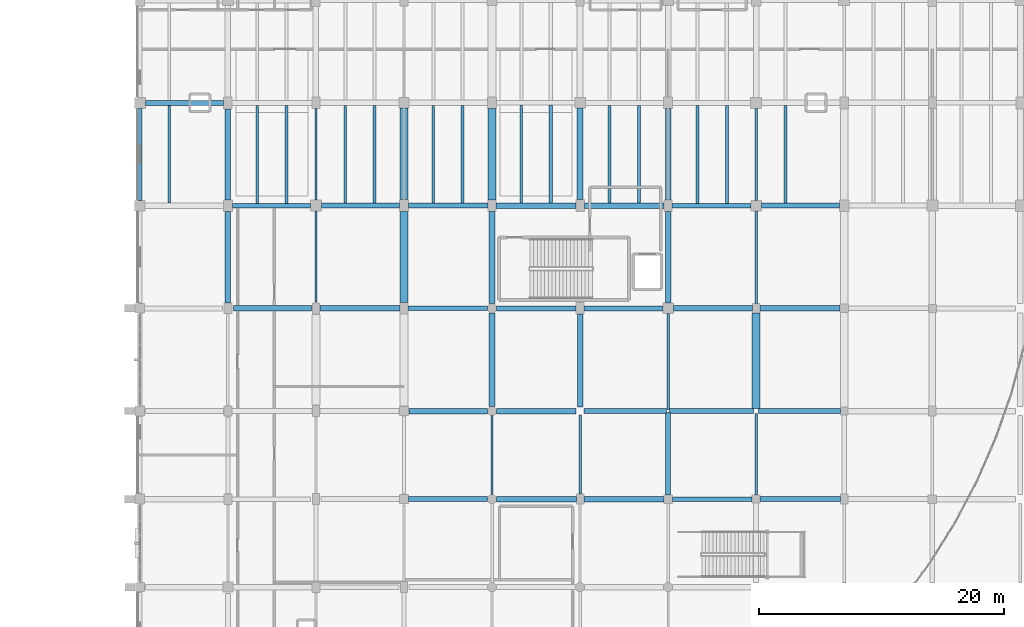
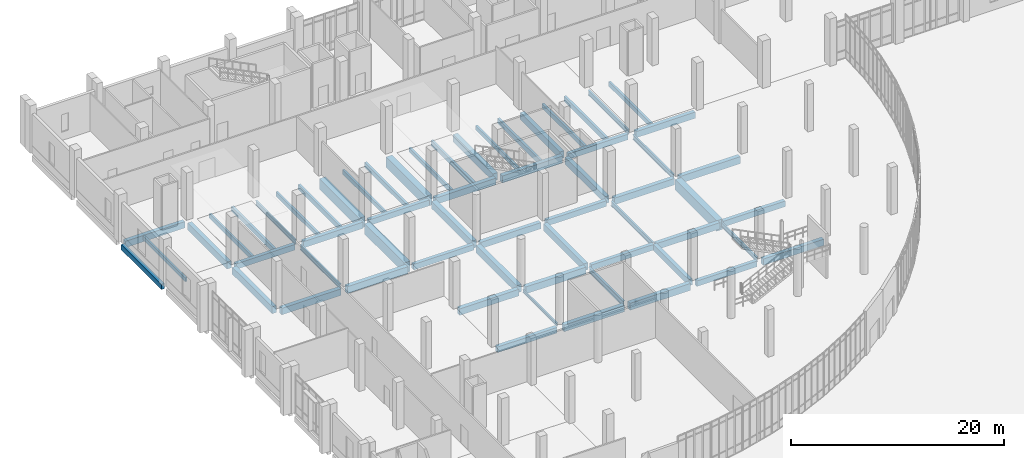
# One storey, part 41 of 110: 61 beams.
"""IFC4 building model written with IfcOpenShell, lengths in metres."""

from ifc_helpers import new_model, si_unit, direction, frame, origin, origin_2d, place, context, subcontext, project, spatial, rectangle, i_section, extrude, material, material_profile, profile_set, type_object, element, save


model = new_model("IFC4")

# Units and contexts
model_context = context("Model", 3, precision=1e-05, world=origin(), true_north=direction((0.0, 1.0)))
body_context = subcontext(model_context, "Body", "Model", "MODEL_VIEW")
ifc_project = project(units=[si_unit("LENGTHUNIT", "METRE"), si_unit("AREAUNIT", "SQUARE_METRE"), si_unit("VOLUMEUNIT", "CUBIC_METRE"), si_unit("PLANEANGLEUNIT", "RADIAN"), si_unit("MASSUNIT", "GRAM", prefix="KILO")], contexts=[model_context])

# Site, building, storey
site_placement = place(None, origin())
site = spatial("IfcSite", under=ifc_project, at=site_placement, CompositionType="ELEMENT")
building_placement = place(site_placement, origin())
building = spatial("IfcBuilding", under=site, at=building_placement, Name="Kalluvel Institute of Natural Sciences", CompositionType="ELEMENT")
storey_placement = place(building_placement, origin())
storey = spatial("IfcBuildingStorey", under=building, at=storey_placement, Name="L00", CompositionType="ELEMENT", Elevation=0.0)

# Beams
ifc_material_1 = material(Name="Steel E350 Grade 350", Category="steel")
ifc_material_profile_1 = material_profile(ifc_material_1, i_section(OverallWidth=0.139892578125, OverallDepth=0.35009765625, WebThickness=0.008056640625, FlangeThickness=0.01416015625, FilletRadius=0.013916015625, at=origin_2d()), Name="ISMB 350")
ifc_profile_set_1 = profile_set([ifc_material_profile_1], Name="Steel E350 Grade 350")
beam_type_1 = type_object("IfcBeamType", Name="BM-ISMB350", PredefinedType="BEAM", material=ifc_profile_set_1)
beam_1_placement = place(storey_placement, frame((42.800048828125, 79.175048828125, -0.4951171875), z_axis=(0.0, 1.0, 0.0), x_axis=(-1.0, 0.0, 0.0)))
element("IfcBeam", 1, at=beam_1_placement, inside=storey, type_object=beam_type_1, Name="L00 girder GIR-L00-NS-X428-Y788", PredefinedType="BEAM", context=body_context, shape_type="SweptSolid", body=[
    extrude(i_section(OverallWidth=0.139892578125, OverallDepth=0.35009765625, WebThickness=0.008056640625, FlangeThickness=0.01416015625, FilletRadius=0.013916015625, at=origin_2d()), origin(), (0.0, 0.0, 1.0), 6.449951171875),
])
ifc_material_profile_2 = material_profile(ifc_material_1, i_section(OverallWidth=0.179931640625, OverallDepth=0.5, WebThickness=0.01025390625, FlangeThickness=0.01708984375, FilletRadius=0.01708984375, at=origin_2d()), Name="ISMB 500")
ifc_profile_set_2 = profile_set([ifc_material_profile_2], Name="Steel E350 Grade 350")
beam_type_2 = type_object("IfcBeamType", Name="BM-ISMB500", PredefinedType="BEAM", material=ifc_profile_set_2)
beam_2_placement = place(storey_placement, frame((64.39990234375, 79.125, -0.570068359375), z_axis=(0.0, 1.0, 0.0), x_axis=(-1.0, 0.0, 0.0)))
element("IfcBeam", 2, at=beam_2_placement, inside=storey, type_object=beam_type_2, Name="L00 girder GIR-L00-NS-X644-Y788", PredefinedType="BEAM", context=body_context, shape_type="SweptSolid", body=[
    extrude(i_section(OverallWidth=0.179931640625, OverallDepth=0.5, WebThickness=0.01025390625, FlangeThickness=0.01708984375, FilletRadius=0.01708984375, at=origin_2d()), origin(), (0.0, 0.0, 1.0), 6.675048828125),
])
ifc_material_profile_3 = material_profile(ifc_material_1, i_section(OverallWidth=0.18994140625, OverallDepth=0.550048828125, WebThickness=0.01123046875, FlangeThickness=0.019287109375, FilletRadius=0.01806640625, at=origin_2d()), Name="ISMB 550")
ifc_profile_set_3 = profile_set([ifc_material_profile_3], Name="Steel E350 Grade 350")
beam_type_3 = type_object("IfcBeamType", Name="BM-ISMB550", PredefinedType="BEAM", material=ifc_profile_set_3)
beam_3_placement = place(storey_placement, frame((28.39990234375, 94.89990234375, -0.594970703125), z_axis=(0.0, 1.0, 0.0), x_axis=(-1.0, 0.0, 0.0)))
element("IfcBeam", 3, at=beam_3_placement, inside=storey, type_object=beam_type_3, Name="L00 girder GIR-L00-NS-X284-Y944", PredefinedType="BEAM", context=body_context, shape_type="SweptSolid", body=[
    extrude(i_section(OverallWidth=0.18994140625, OverallDepth=0.550048828125, WebThickness=0.01123046875, FlangeThickness=0.019287109375, FilletRadius=0.01806640625, at=origin_2d()), origin(), (0.0, 0.0, 1.0), 7.4501953125),
])
beam_4_placement = place(storey_placement, frame((28.39990234375, 103.25, -0.594970703125), z_axis=(0.0, 1.0, 0.0), x_axis=(-1.0, 0.0, 0.0)))
element("IfcBeam", 4, at=beam_4_placement, inside=storey, type_object=beam_type_3, Name="L00 girder GIR-L00-NS-X284-Y1028", PredefinedType="BEAM", context=body_context, shape_type="SweptSolid", body=[
    extrude(i_section(OverallWidth=0.18994140625, OverallDepth=0.550048828125, WebThickness=0.01123046875, FlangeThickness=0.019287109375, FilletRadius=0.01806640625, at=origin_2d()), origin(), (0.0, 0.0, 1.0), 7.47509765625),
])
beam_5_placement = place(storey_placement, frame((57.199951171875, 86.125, -0.594970703125), z_axis=(0.0, 1.0, 0.0), x_axis=(-1.0, 0.0, 0.0)))
element("IfcBeam", 5, at=beam_5_placement, inside=storey, type_object=beam_type_3, Name="L00 girder GIR-L00-NS-X572-Y860", PredefinedType="BEAM", context=body_context, shape_type="SweptSolid", body=[
    extrude(i_section(OverallWidth=0.18994140625, OverallDepth=0.550048828125, WebThickness=0.01123046875, FlangeThickness=0.019287109375, FilletRadius=0.01806640625, at=origin_2d()), origin(), (0.0, 0.0, 1.0), 7.85009765625),
])
beam_6_placement = place(storey_placement, frame((64.39990234375, 94.800048828125, -0.594970703125), z_axis=(0.0, 1.0, 0.0), x_axis=(-1.0, 0.0, 0.0)))
element("IfcBeam", 6, at=beam_6_placement, inside=storey, type_object=beam_type_3, Name="L00 girder GIR-L00-NS-X644-Y944", PredefinedType="BEAM", context=body_context, shape_type="SweptSolid", body=[
    extrude(i_section(OverallWidth=0.18994140625, OverallDepth=0.550048828125, WebThickness=0.01123046875, FlangeThickness=0.019287109375, FilletRadius=0.01806640625, at=origin_2d()), origin(), (0.0, 0.0, 1.0), 7.574951171875),
])
beam_7_placement = place(storey_placement, frame((64.39990234375, 103.22509765625, -0.594970703125), z_axis=(0.0, 1.0, 0.0), x_axis=(-1.0, 0.0, 0.0)))
element("IfcBeam", 7, at=beam_7_placement, inside=storey, type_object=beam_type_3, Name="L00 girder GIR-L00-NS-X644-Y1028", PredefinedType="BEAM", context=body_context, shape_type="SweptSolid", body=[
    extrude(i_section(OverallWidth=0.18994140625, OverallDepth=0.550048828125, WebThickness=0.01123046875, FlangeThickness=0.019287109375, FilletRadius=0.01806640625, at=origin_2d()), origin(), (0.0, 0.0, 1.0), 7.52490234375),
])
ifc_material_profile_4 = material_profile(ifc_material_1, i_section(OverallWidth=0.2099609375, OverallDepth=0.60009765625, WebThickness=0.011962890625, FlangeThickness=0.020751953125, FilletRadius=0.02001953125, at=origin_2d()), Name="ISMB 600")
ifc_profile_set_4 = profile_set([ifc_material_profile_4], Name="Steel E350 Grade 350")
beam_type_4 = type_object("IfcBeamType", Name="BM-ISMB600", PredefinedType="BEAM", material=ifc_profile_set_4)
beam_8_placement = place(storey_placement, frame((50.0, 79.199951171875, -0.6201171875), z_axis=(0.0, 1.0, 0.0), x_axis=(-1.0, 0.0, 0.0)))
element("IfcBeam", 8, at=beam_8_placement, inside=storey, type_object=beam_type_4, Name="L00 girder GIR-L00-NS-X500-Y788", PredefinedType="BEAM", context=body_context, shape_type="SweptSolid", body=[
    extrude(i_section(OverallWidth=0.2099609375, OverallDepth=0.60009765625, WebThickness=0.011962890625, FlangeThickness=0.020751953125, FilletRadius=0.02001953125, at=origin_2d()), origin(), (0.0, 0.0, 1.0), 6.47509765625),
])
ifc_material_2 = material(Name="Concrete M40", Category="concrete")
ifc_material_profile_5 = material_profile(ifc_material_2, rectangle(XDim=0.3798828125, YDim=0.639892578125, at=origin_2d()), Name="RCB 380x640")
ifc_profile_set_5 = profile_set([ifc_material_profile_5], Name="Concrete M40")
beam_type_5 = type_object("IfcBeamType", Name="BM-RC380x640", PredefinedType="BEAM", material=ifc_profile_set_5)
beam_9_placement = place(storey_placement, frame((57.550048828125, 78.800048828125, -0.639892578125), z_axis=(1.0, 0.0, 0.0), x_axis=(0.0, 1.0, 0.0)))
element("IfcBeam", 9, at=beam_9_placement, inside=storey, type_object=beam_type_5, Name="L00 girder GIR-L00-EW-X572-Y788", PredefinedType="BEAM", context=body_context, shape_type="SweptSolid", body=[
    extrude(rectangle(XDim=0.3798828125, YDim=0.639892578125, at=origin_2d()), origin(), (0.0, 0.0, 1.0), 6.52490234375),
])
beam_10_placement = place(storey_placement, frame((50.324951171875, 86.0, -0.639892578125), z_axis=(1.0, 0.0, 0.0), x_axis=(0.0, 1.0, 0.0)))
element("IfcBeam", 10, at=beam_10_placement, inside=storey, type_object=beam_type_5, Name="L00 girder GIR-L00-EW-X500-Y860", PredefinedType="BEAM", context=body_context, shape_type="SweptSolid", body=[
    extrude(rectangle(XDim=0.3798828125, YDim=0.639892578125, at=origin_2d()), origin(), (0.0, 0.0, 1.0), 6.75),
])
beam_11_placement = place(storey_placement, frame((35.925048828125, 94.39990234375, -0.639892578125), z_axis=(1.0, 0.0, 0.0), x_axis=(0.0, 1.0, 0.0)))
element("IfcBeam", 11, at=beam_11_placement, inside=storey, type_object=beam_type_5, Name="L00 girder GIR-L00-EW-X356-Y944", PredefinedType="BEAM", context=body_context, shape_type="SweptSolid", body=[
    extrude(rectangle(XDim=0.3798828125, YDim=0.639892578125, at=origin_2d()), origin(), (0.0, 0.0, 1.0), 6.5),
])
beam_12_placement = place(storey_placement, frame((21.574951171875, 102.800048828125, -0.639892578125), z_axis=(1.0, 0.0, 0.0), x_axis=(0.0, 1.0, 0.0)))
element("IfcBeam", 12, at=beam_12_placement, inside=storey, type_object=beam_type_5, Name="L00 girder GIR-L00-EW-X212-Y1028", PredefinedType="BEAM", context=body_context, shape_type="SweptSolid", body=[
    extrude(rectangle(XDim=0.3798828125, YDim=0.639892578125, at=origin_2d()), origin(), (0.0, 0.0, 1.0), 6.375),
])
beam_13_placement = place(storey_placement, frame((57.52490234375, 102.800048828125, -0.639892578125), z_axis=(1.0, 0.0, 0.0), x_axis=(0.0, 1.0, 0.0)))
element("IfcBeam", 13, at=beam_13_placement, inside=storey, type_object=beam_type_5, Name="L00 girder GIR-L00-EW-X572-Y1028", PredefinedType="BEAM", context=body_context, shape_type="SweptSolid", body=[
    extrude(rectangle(XDim=0.3798828125, YDim=0.639892578125, at=origin_2d()), origin(), (0.0, 0.0, 1.0), 6.4501953125),
])
ifc_material_profile_6 = material_profile(ifc_material_2, rectangle(XDim=0.39990234375, YDim=0.64990234375, at=origin_2d()), Name="RCB 400x650")
ifc_profile_set_6 = profile_set([ifc_material_profile_6], Name="Concrete M40")
beam_type_6 = type_object("IfcBeamType", Name="BM-RC400x650", PredefinedType="BEAM", material=ifc_profile_set_6)
beam_14_placement = place(storey_placement, frame((35.97509765625, 78.800048828125, -0.64501953125), z_axis=(1.0, 0.0, 0.0), x_axis=(0.0, 1.0, 0.0)))
element("IfcBeam", 14, at=beam_14_placement, inside=storey, type_object=beam_type_6, Name="L00 girder GIR-L00-EW-X356-Y788", PredefinedType="BEAM", context=body_context, shape_type="SweptSolid", body=[
    extrude(rectangle(XDim=0.39990234375, YDim=0.64990234375, at=origin_2d()), origin(), (0.0, 0.0, 1.0), 6.449951171875),
])
beam_15_placement = place(storey_placement, frame((64.60009765625, 86.0, -0.64501953125), z_axis=(1.0, 0.0, 0.0), x_axis=(0.0, 1.0, 0.0)))
element("IfcBeam", 15, at=beam_15_placement, inside=storey, type_object=beam_type_6, Name="L00 girder GIR-L00-EW-X644-Y860", PredefinedType="BEAM", context=body_context, shape_type="SweptSolid", body=[
    extrude(rectangle(XDim=0.39990234375, YDim=0.64990234375, at=origin_2d()), origin(), (0.0, 0.0, 1.0), 6.6748046875),
])
beam_16_placement = place(storey_placement, frame((50.324951171875, 94.39990234375, -0.64501953125), z_axis=(1.0, 0.0, 0.0), x_axis=(0.0, 1.0, 0.0)))
element("IfcBeam", 16, at=beam_16_placement, inside=storey, type_object=beam_type_6, Name="L00 girder GIR-L00-EW-X500-Y944", PredefinedType="BEAM", context=body_context, shape_type="SweptSolid", body=[
    extrude(rectangle(XDim=0.39990234375, YDim=0.64990234375, at=origin_2d()), origin(), (0.0, 0.0, 1.0), 6.449951171875),
])
beam_17_placement = place(storey_placement, frame((35.949951171875, 102.800048828125, -0.64501953125), z_axis=(1.0, 0.0, 0.0), x_axis=(0.0, 1.0, 0.0)))
element("IfcBeam", 17, at=beam_17_placement, inside=storey, type_object=beam_type_6, Name="L00 girder GIR-L00-EW-X356-Y1028", PredefinedType="BEAM", context=body_context, shape_type="SweptSolid", body=[
    extrude(rectangle(XDim=0.39990234375, YDim=0.64990234375, at=origin_2d()), origin(), (0.0, 0.0, 1.0), 6.525146484375),
])
ifc_material_profile_7 = material_profile(ifc_material_2, rectangle(XDim=0.39990234375, YDim=0.699951171875, at=origin_2d()), Name="RCB 400x700")
ifc_profile_set_7 = profile_set([ifc_material_profile_7], Name="Concrete M40")
beam_type_7 = type_object("IfcBeamType", Name="BM-RC400x700", PredefinedType="BEAM", material=ifc_profile_set_7)
beam_18_placement = place(storey_placement, frame((57.199951171875, 79.14990234375, -0.669921875), z_axis=(0.0, 1.0, 0.0), x_axis=(-1.0, 0.0, 0.0)))
element("IfcBeam", 18, at=beam_18_placement, inside=storey, type_object=beam_type_7, Name="L00 girder GIR-L00-NS-X572-Y788", PredefinedType="BEAM", context=body_context, shape_type="SweptSolid", body=[
    extrude(rectangle(XDim=0.39990234375, YDim=0.699951171875, at=origin_2d()), origin(), (0.0, 0.0, 1.0), 6.72509765625),
])
ifc_material_profile_8 = material_profile(ifc_material_2, rectangle(XDim=0.419921875, YDim=0.719970703125, at=origin_2d()), Name="RCB 420x720")
ifc_profile_set_8 = profile_set([ifc_material_profile_8], Name="Concrete M40")
beam_type_8 = type_object("IfcBeamType", Name="BM-RC420x720", PredefinedType="BEAM", material=ifc_profile_set_8)
beam_19_placement = place(storey_placement, frame((64.72509765625, 78.800048828125, -0.679931640625), z_axis=(1.0, 0.0, 0.0), x_axis=(0.0, 1.0, 0.0)))
element("IfcBeam", 19, at=beam_19_placement, inside=storey, type_object=beam_type_8, Name="L00 girder GIR-L00-EW-X644-Y788", PredefinedType="BEAM", context=body_context, shape_type="SweptSolid", body=[
    extrude(rectangle(XDim=0.419921875, YDim=0.719970703125, at=origin_2d()), origin(), (0.0, 0.0, 1.0), 6.574951171875),
])
beam_20_placement = place(storey_placement, frame((57.324951171875, 86.0, -0.679931640625), z_axis=(1.0, 0.0, 0.0), x_axis=(0.0, 1.0, 0.0)))
element("IfcBeam", 20, at=beam_20_placement, inside=storey, type_object=beam_type_8, Name="L00 girder GIR-L00-EW-X572-Y860", PredefinedType="BEAM", context=body_context, shape_type="SweptSolid", body=[
    extrude(rectangle(XDim=0.419921875, YDim=0.719970703125, at=origin_2d()), origin(), (0.0, 0.0, 1.0), 6.875),
])
beam_21_placement = place(storey_placement, frame((43.175048828125, 94.39990234375, -0.679931640625), z_axis=(1.0, 0.0, 0.0), x_axis=(0.0, 1.0, 0.0)))
element("IfcBeam", 21, at=beam_21_placement, inside=storey, type_object=beam_type_8, Name="L00 girder GIR-L00-EW-X428-Y944", PredefinedType="BEAM", context=body_context, shape_type="SweptSolid", body=[
    extrude(rectangle(XDim=0.419921875, YDim=0.719970703125, at=origin_2d()), origin(), (0.0, 0.0, 1.0), 6.5),
])
beam_22_placement = place(storey_placement, frame((28.85009765625, 102.800048828125, -0.679931640625), z_axis=(1.0, 0.0, 0.0), x_axis=(0.0, 1.0, 0.0)))
element("IfcBeam", 22, at=beam_22_placement, inside=storey, type_object=beam_type_8, Name="L00 girder GIR-L00-EW-X284-Y1028", PredefinedType="BEAM", context=body_context, shape_type="SweptSolid", body=[
    extrude(rectangle(XDim=0.419921875, YDim=0.719970703125, at=origin_2d()), origin(), (0.0, 0.0, 1.0), 6.39990234375),
])
for number, where, z_axis, x_axis, name in (
    (23, (64.824951171875, 102.800048828125, -0.679931640625), (1.0, 0.0, 0.0), (0.0, 1.0, 0.0), "L00 girder GIR-L00-EW-X644-Y1028"),
    (24, (14.449951171875, 111.199951171875, -0.679931640625), (1.0, 0.0, 0.0), (0.0, 1.0, 0.0), "L00 girder GIR-L00-EW-X140-Y1112"),
):
    element("IfcBeam", number, at=place(storey_placement, frame(where, z_axis=z_axis, x_axis=x_axis)), inside=storey, type_object=beam_type_8, Name=name, PredefinedType="BEAM", context=body_context, shape_type="SweptSolid", body=[
        extrude(rectangle(XDim=0.419921875, YDim=0.719970703125, at=origin_2d()), origin(), (0.0, 0.0, 1.0), 6.400146484375),
    ])
ifc_material_profile_9 = material_profile(ifc_material_2, rectangle(XDim=0.449951171875, YDim=0.75, at=origin_2d()), Name="RCB 450x750")
ifc_profile_set_9 = profile_set([ifc_material_profile_9], Name="Concrete M40")
beam_type_9 = type_object("IfcBeamType", Name="BM-RC450x750", PredefinedType="BEAM", material=ifc_profile_set_9)
beam_23_placement = place(storey_placement, frame((43.175048828125, 78.800048828125, -0.695068359375), z_axis=(1.0, 0.0, 0.0), x_axis=(0.0, 1.0, 0.0)))
element("IfcBeam", 25, at=beam_23_placement, inside=storey, type_object=beam_type_9, Name="L00 girder GIR-L00-EW-X428-Y788", PredefinedType="BEAM", context=body_context, shape_type="SweptSolid", body=[
    extrude(rectangle(XDim=0.449951171875, YDim=0.75, at=origin_2d()), origin(), (0.0, 0.0, 1.0), 6.52490234375),
])
for number, where, z_axis, x_axis, name in (
    (26, (36.02490234375, 86.0, -0.695068359375), (1.0, 0.0, 0.0), (0.0, 1.0, 0.0), "L00 girder GIR-L00-EW-X356-Y860"),
    (27, (21.64990234375, 94.39990234375, -0.695068359375), (1.0, 0.0, 0.0), (0.0, 1.0, 0.0), "L00 girder GIR-L00-EW-X212-Y944"),
):
    element("IfcBeam", number, at=place(storey_placement, frame(where, z_axis=z_axis, x_axis=x_axis)), inside=storey, type_object=beam_type_9, Name=name, PredefinedType="BEAM", context=body_context, shape_type="SweptSolid", body=[
        extrude(rectangle(XDim=0.449951171875, YDim=0.75, at=origin_2d()), origin(), (0.0, 0.0, 1.0), 6.400146484375),
    ])
beam_24_placement = place(storey_placement, frame((57.625, 94.39990234375, -0.695068359375), z_axis=(1.0, 0.0, 0.0), x_axis=(0.0, 1.0, 0.0)))
element("IfcBeam", 28, at=beam_24_placement, inside=storey, type_object=beam_type_9, Name="L00 girder GIR-L00-EW-X572-Y944", PredefinedType="BEAM", context=body_context, shape_type="SweptSolid", body=[
    extrude(rectangle(XDim=0.449951171875, YDim=0.75, at=origin_2d()), origin(), (0.0, 0.0, 1.0), 6.47509765625),
])
beam_25_placement = place(storey_placement, frame((43.125, 102.800048828125, -0.695068359375), z_axis=(1.0, 0.0, 0.0), x_axis=(0.0, 1.0, 0.0)))
element("IfcBeam", 29, at=beam_25_placement, inside=storey, type_object=beam_type_9, Name="L00 girder GIR-L00-EW-X428-Y1028", PredefinedType="BEAM", context=body_context, shape_type="SweptSolid", body=[
    extrude(rectangle(XDim=0.449951171875, YDim=0.75, at=origin_2d()), origin(), (0.0, 0.0, 1.0), 6.52490234375),
])
ifc_material_profile_10 = material_profile(ifc_material_2, rectangle(XDim=0.449951171875, YDim=0.800048828125, at=origin_2d()), Name="RCB 450x800")
ifc_profile_set_10 = profile_set([ifc_material_profile_10], Name="Concrete M40")
beam_type_10 = type_object("IfcBeamType", Name="BM-RC450x800", PredefinedType="BEAM", material=ifc_profile_set_10)
beam_26_placement = place(storey_placement, frame((50.300048828125, 78.800048828125, -0.719970703125), z_axis=(1.0, 0.0, 0.0), x_axis=(0.0, 1.0, 0.0)))
element("IfcBeam", 30, at=beam_26_placement, inside=storey, type_object=beam_type_10, Name="L00 girder GIR-L00-EW-X500-Y788", PredefinedType="BEAM", context=body_context, shape_type="SweptSolid", body=[
    extrude(rectangle(XDim=0.449951171875, YDim=0.800048828125, at=origin_2d()), origin(), (0.0, 0.0, 1.0), 6.550048828125),
])
beam_27_placement = place(storey_placement, frame((43.175048828125, 86.0, -0.719970703125), z_axis=(1.0, 0.0, 0.0), x_axis=(0.0, 1.0, 0.0)))
element("IfcBeam", 31, at=beam_27_placement, inside=storey, type_object=beam_type_10, Name="L00 girder GIR-L00-EW-X428-Y860", PredefinedType="BEAM", context=body_context, shape_type="SweptSolid", body=[
    extrude(rectangle(XDim=0.449951171875, YDim=0.800048828125, at=origin_2d()), origin(), (0.0, 0.0, 1.0), 6.5),
])
beam_28_placement = place(storey_placement, frame((28.75, 94.39990234375, -0.719970703125), z_axis=(1.0, 0.0, 0.0), x_axis=(0.0, 1.0, 0.0)))
element("IfcBeam", 32, at=beam_28_placement, inside=storey, type_object=beam_type_10, Name="L00 girder GIR-L00-EW-X284-Y944", PredefinedType="BEAM", context=body_context, shape_type="SweptSolid", body=[
    extrude(rectangle(XDim=0.449951171875, YDim=0.800048828125, at=origin_2d()), origin(), (0.0, 0.0, 1.0), 6.52490234375),
])
beam_29_placement = place(storey_placement, frame((64.699951171875, 94.39990234375, -0.719970703125), z_axis=(1.0, 0.0, 0.0), x_axis=(0.0, 1.0, 0.0)))
element("IfcBeam", 33, at=beam_29_placement, inside=storey, type_object=beam_type_10, Name="L00 girder GIR-L00-EW-X644-Y944", PredefinedType="BEAM", context=body_context, shape_type="SweptSolid", body=[
    extrude(rectangle(XDim=0.449951171875, YDim=0.800048828125, at=origin_2d()), origin(), (0.0, 0.0, 1.0), 6.550048828125),
])
beam_30_placement = place(storey_placement, frame((50.35009765625, 102.800048828125, -0.719970703125), z_axis=(1.0, 0.0, 0.0), x_axis=(0.0, 1.0, 0.0)))
element("IfcBeam", 34, at=beam_30_placement, inside=storey, type_object=beam_type_10, Name="L00 girder GIR-L00-EW-X500-Y1028", PredefinedType="BEAM", context=body_context, shape_type="SweptSolid", body=[
    extrude(rectangle(XDim=0.449951171875, YDim=0.800048828125, at=origin_2d()), origin(), (0.0, 0.0, 1.0), 6.52490234375),
])
beam_31_placement = place(storey_placement, frame((21.199951171875, 94.85009765625, -0.719970703125), z_axis=(0.0, 1.0, 0.0), x_axis=(-1.0, 0.0, 0.0)))
element("IfcBeam", 35, at=beam_31_placement, inside=storey, type_object=beam_type_10, Name="L00 girder GIR-L00-NS-X212-Y944", PredefinedType="BEAM", context=body_context, shape_type="SweptSolid", body=[
    extrude(rectangle(XDim=0.449951171875, YDim=0.800048828125, at=origin_2d()), origin(), (0.0, 0.0, 1.0), 7.474853515625),
])
beam_32_placement = place(storey_placement, frame((21.199951171875, 103.27490234375, -0.719970703125), z_axis=(0.0, 1.0, 0.0), x_axis=(-1.0, 0.0, 0.0)))
element("IfcBeam", 36, at=beam_32_placement, inside=storey, type_object=beam_type_10, Name="L00 girder GIR-L00-NS-X212-Y1028", PredefinedType="BEAM", context=body_context, shape_type="SweptSolid", body=[
    extrude(rectangle(XDim=0.449951171875, YDim=0.800048828125, at=origin_2d()), origin(), (0.0, 0.0, 1.0), 7.425048828125),
])
beam_33_placement = place(storey_placement, frame((50.0, 86.324951171875, -0.719970703125), z_axis=(0.0, 1.0, 0.0), x_axis=(-1.0, 0.0, 0.0)))
element("IfcBeam", 37, at=beam_33_placement, inside=storey, type_object=beam_type_10, Name="L00 girder GIR-L00-NS-X500-Y860", PredefinedType="BEAM", context=body_context, shape_type="SweptSolid", body=[
    extrude(rectangle(XDim=0.449951171875, YDim=0.800048828125, at=origin_2d()), origin(), (0.0, 0.0, 1.0), 7.60009765625),
])
beam_34_placement = place(storey_placement, frame((57.199951171875, 94.824951171875, -0.719970703125), z_axis=(0.0, 1.0, 0.0), x_axis=(-1.0, 0.0, 0.0)))
element("IfcBeam", 38, at=beam_34_placement, inside=storey, type_object=beam_type_10, Name="L00 girder GIR-L00-NS-X572-Y944", PredefinedType="BEAM", context=body_context, shape_type="SweptSolid", body=[
    extrude(rectangle(XDim=0.449951171875, YDim=0.800048828125, at=origin_2d()), origin(), (0.0, 0.0, 1.0), 7.5),
])
beam_35_placement = place(storey_placement, frame((57.199951171875, 103.27490234375, -0.719970703125), z_axis=(0.0, 1.0, 0.0), x_axis=(-1.0, 0.0, 0.0)))
element("IfcBeam", 39, at=beam_35_placement, inside=storey, type_object=beam_type_10, Name="L00 girder GIR-L00-NS-X572-Y1028", PredefinedType="BEAM", context=body_context, shape_type="SweptSolid", body=[
    extrude(rectangle(XDim=0.449951171875, YDim=0.800048828125, at=origin_2d()), origin(), (0.0, 0.0, 1.0), 7.4501953125),
])
ifc_material_3 = material(Name="Concrete M50", Category="concrete")
ifc_material_profile_11 = material_profile(ifc_material_3, rectangle(XDim=0.5, YDim=0.85009765625, at=origin_2d()), Name="RCB 500x850")
ifc_profile_set_11 = profile_set([ifc_material_profile_11], Name="Concrete M50")
beam_type_11 = type_object("IfcBeamType", Name="BM-RC500x850", PredefinedType="BEAM", material=ifc_profile_set_11)
beam_36_placement = place(storey_placement, frame((42.800048828125, 86.375, -0.7451171875), z_axis=(0.0, 1.0, 0.0), x_axis=(-1.0, 0.0, 0.0)))
element("IfcBeam", 40, at=beam_36_placement, inside=storey, type_object=beam_type_11, Name="L00 girder GIR-L00-NS-X428-Y860", PredefinedType="BEAM", context=body_context, shape_type="SweptSolid", body=[
    extrude(rectangle(XDim=0.5, YDim=0.85009765625, at=origin_2d()), origin(), (0.0, 0.0, 1.0), 7.64990234375),
])
beam_37_placement = place(storey_placement, frame((42.800048828125, 94.77490234375, -0.7451171875), z_axis=(0.0, 1.0, 0.0), x_axis=(-1.0, 0.0, 0.0)))
element("IfcBeam", 41, at=beam_37_placement, inside=storey, type_object=beam_type_11, Name="L00 girder GIR-L00-NS-X428-Y944", PredefinedType="BEAM", context=body_context, shape_type="SweptSolid", body=[
    extrude(rectangle(XDim=0.5, YDim=0.85009765625, at=origin_2d()), origin(), (0.0, 0.0, 1.0), 7.550048828125),
])
beam_38_placement = place(storey_placement, frame((50.0, 103.300048828125, -0.7451171875), z_axis=(0.0, 1.0, 0.0), x_axis=(-1.0, 0.0, 0.0)))
element("IfcBeam", 42, at=beam_38_placement, inside=storey, type_object=beam_type_11, Name="L00 girder GIR-L00-NS-X500-Y1028", PredefinedType="BEAM", context=body_context, shape_type="SweptSolid", body=[
    extrude(rectangle(XDim=0.5, YDim=0.85009765625, at=origin_2d()), origin(), (0.0, 0.0, 1.0), 7.474853515625),
])
ifc_material_profile_12 = material_profile(ifc_material_3, rectangle(XDim=0.64990234375, YDim=1.199951171875, at=origin_2d()), Name="RCB 650x1200")
ifc_profile_set_12 = profile_set([ifc_material_profile_12], Name="Concrete M50")
beam_type_12 = type_object("IfcBeamType", Name="BM-RC650x1200", PredefinedType="BEAM", material=ifc_profile_set_12)
beam_39_placement = place(storey_placement, frame((35.60009765625, 94.875, -0.919921875), z_axis=(0.0, 1.0, 0.0), x_axis=(-1.0, 0.0, 0.0)))
element("IfcBeam", 43, at=beam_39_placement, inside=storey, type_object=beam_type_12, Name="L00 girder GIR-L00-NS-X356-Y944", PredefinedType="BEAM", context=body_context, shape_type="SweptSolid", body=[
    extrude(rectangle(XDim=0.64990234375, YDim=1.199951171875, at=origin_2d()), origin(), (0.0, 0.0, 1.0), 7.425048828125),
])
beam_40_placement = place(storey_placement, frame((35.60009765625, 103.300048828125, -0.919921875), z_axis=(0.0, 1.0, 0.0), x_axis=(-1.0, 0.0, 0.0)))
element("IfcBeam", 44, at=beam_40_placement, inside=storey, type_object=beam_type_12, Name="L00 girder GIR-L00-NS-X356-Y1028", PredefinedType="BEAM", context=body_context, shape_type="SweptSolid", body=[
    extrude(rectangle(XDim=0.64990234375, YDim=1.199951171875, at=origin_2d()), origin(), (0.0, 0.0, 1.0), 7.474853515625),
])
beam_41_placement = place(storey_placement, frame((42.800048828125, 103.27490234375, -0.919921875), z_axis=(0.0, 1.0, 0.0), x_axis=(-1.0, 0.0, 0.0)))
element("IfcBeam", 45, at=beam_41_placement, inside=storey, type_object=beam_type_12, Name="L00 girder GIR-L00-NS-X428-Y1028", PredefinedType="BEAM", context=body_context, shape_type="SweptSolid", body=[
    extrude(rectangle(XDim=0.64990234375, YDim=1.199951171875, at=origin_2d()), origin(), (0.0, 0.0, 1.0), 7.4501953125),
])
beam_42_placement = place(storey_placement, frame((64.39990234375, 86.199951171875, -0.919921875), z_axis=(0.0, 1.0, 0.0), x_axis=(-1.0, 0.0, 0.0)))
element("IfcBeam", 46, at=beam_42_placement, inside=storey, type_object=beam_type_12, Name="L00 girder GIR-L00-NS-X644-Y860", PredefinedType="BEAM", context=body_context, shape_type="SweptSolid", body=[
    extrude(rectangle(XDim=0.64990234375, YDim=1.199951171875, at=origin_2d()), origin(), (0.0, 0.0, 1.0), 7.800048828125),
])
ifc_material_profile_13 = material_profile(ifc_material_2, rectangle(XDim=0.35009765625, YDim=0.60009765625, at=origin_2d()), Name="RCB 350x600")
ifc_profile_set_13 = profile_set([ifc_material_profile_13], Name="Concrete M40")
beam_type_13 = type_object("IfcBeamType", Name="SP-RC350x600", PredefinedType="SPANDREL", material=ifc_profile_set_13)
beam_43_placement = place(storey_placement, frame((14.0, 103.22509765625, -0.6201171875), z_axis=(0.0, 1.0, 0.0), x_axis=(-1.0, 0.0, 0.0)))
element("IfcBeam", 47, at=beam_43_placement, inside=storey, type_object=beam_type_13, Name="L00 girder GIR-L00-NS-X140-Y1028", PredefinedType="SPANDREL", context=body_context, shape_type="SweptSolid", body=[
    extrude(rectangle(XDim=0.35009765625, YDim=0.60009765625, at=origin_2d()), origin(), (0.0, 0.0, 1.0), 7.52490234375),
])
ifc_material_profile_14 = material_profile(ifc_material_2, rectangle(XDim=0.199951171875, YDim=0.4599609375, at=origin_2d()), Name="WAF 200x460")
ifc_profile_set_14 = profile_set([ifc_material_profile_14], Name="Concrete M40")
beam_type_14 = type_object("IfcBeamType", Name="WJ-200x460", PredefinedType="JOIST", material=ifc_profile_set_14)
beam_44_placement = place(storey_placement, frame((16.39990234375, 103.02490234375, -0.550048828125), z_axis=(0.0, 1.0, 0.0), x_axis=(-1.0, 0.0, 0.0)))
element("IfcBeam", 48, at=beam_44_placement, inside=storey, type_object=beam_type_14, Name="L00 waffle joist RIB-L00-0001", PredefinedType="JOIST", context=body_context, shape_type="SweptSolid", body=[
    extrude(rectangle(XDim=0.199951171875, YDim=0.4599609375, at=origin_2d()), origin(), (0.0, 0.0, 1.0), 7.965087890625),
])
ifc_material_profile_15 = material_profile(ifc_material_2, rectangle(XDim=0.219970703125, YDim=0.5, at=origin_2d()), Name="WAF 220x500")
ifc_profile_set_15 = profile_set([ifc_material_profile_15], Name="Concrete M40")
beam_type_15 = type_object("IfcBeamType", Name="WJ-220x500", PredefinedType="JOIST", material=ifc_profile_set_15)
beam_45_placement = place(storey_placement, frame((23.60009765625, 102.989990234375, -0.570068359375), z_axis=(0.0, 1.0, 0.0), x_axis=(-1.0, 0.0, 0.0)))
element("IfcBeam", 49, at=beam_45_placement, inside=storey, type_object=beam_type_15, Name="L00 waffle joist RIB-L00-0005", PredefinedType="JOIST", context=body_context, shape_type="SweptSolid", body=[
    extrude(rectangle(XDim=0.219970703125, YDim=0.5, at=origin_2d()), origin(), (0.0, 0.0, 1.0), 8.010009765625),
])
beam_46_placement = place(storey_placement, frame((30.800048828125, 103.010009765625, -0.570068359375), z_axis=(0.0, 1.0, 0.0), x_axis=(-1.0, 0.0, 0.0)))
element("IfcBeam", 50, at=beam_46_placement, inside=storey, type_object=beam_type_15, Name="L00 waffle joist RIB-L00-0011", PredefinedType="JOIST", context=body_context, shape_type="SweptSolid", body=[
    extrude(rectangle(XDim=0.219970703125, YDim=0.5, at=origin_2d()), origin(), (0.0, 0.0, 1.0), 7.965087890625),
])
beam_47_placement = place(storey_placement, frame((38.0, 103.0, -0.570068359375), z_axis=(0.0, 1.0, 0.0), x_axis=(-1.0, 0.0, 0.0)))
element("IfcBeam", 51, at=beam_47_placement, inside=storey, type_object=beam_type_15, Name="L00 waffle joist RIB-L00-0016", PredefinedType="JOIST", context=body_context, shape_type="SweptSolid", body=[
    extrude(rectangle(XDim=0.219970703125, YDim=0.5, at=origin_2d()), origin(), (0.0, 0.0, 1.0), 7.97509765625),
])
beam_48_placement = place(storey_placement, frame((45.199951171875, 103.02490234375, -0.570068359375), z_axis=(0.0, 1.0, 0.0), x_axis=(-1.0, 0.0, 0.0)))
element("IfcBeam", 52, at=beam_48_placement, inside=storey, type_object=beam_type_15, Name="L00 waffle joist RIB-L00-0021", PredefinedType="JOIST", context=body_context, shape_type="SweptSolid", body=[
    extrude(rectangle(XDim=0.219970703125, YDim=0.5, at=origin_2d()), origin(), (0.0, 0.0, 1.0), 7.985107421875),
])
beam_49_placement = place(storey_placement, frame((52.39990234375, 103.02490234375, -0.570068359375), z_axis=(0.0, 1.0, 0.0), x_axis=(-1.0, 0.0, 0.0)))
element("IfcBeam", 53, at=beam_49_placement, inside=storey, type_object=beam_type_15, Name="L00 waffle joist RIB-L00-0027", PredefinedType="JOIST", context=body_context, shape_type="SweptSolid", body=[
    extrude(rectangle(XDim=0.219970703125, YDim=0.5, at=origin_2d()), origin(), (0.0, 0.0, 1.0), 7.965087890625),
])
ifc_material_profile_16 = material_profile(ifc_material_2, rectangle(XDim=0.239990234375, YDim=0.52001953125, at=origin_2d()), Name="WAF 240x520")
ifc_profile_set_16 = profile_set([ifc_material_profile_16], Name="Concrete M40")
beam_type_16 = type_object("IfcBeamType", Name="WJ-240x520", PredefinedType="JOIST", material=ifc_profile_set_16)
beam_50_placement = place(storey_placement, frame((59.60009765625, 102.989990234375, -0.580078125), z_axis=(0.0, 1.0, 0.0), x_axis=(-1.0, 0.0, 0.0)))
element("IfcBeam", 54, at=beam_50_placement, inside=storey, type_object=beam_type_16, Name="L00 waffle joist RIB-L00-0033", PredefinedType="JOIST", context=body_context, shape_type="SweptSolid", body=[
    extrude(rectangle(XDim=0.239990234375, YDim=0.52001953125, at=origin_2d()), origin(), (0.0, 0.0, 1.0), 8.010009765625),
])
beam_51_placement = place(storey_placement, frame((66.800048828125, 103.010009765625, -0.580078125), z_axis=(0.0, 1.0, 0.0), x_axis=(-1.0, 0.0, 0.0)))
element("IfcBeam", 55, at=beam_51_placement, inside=storey, type_object=beam_type_16, Name="L00 waffle joist RIB-L00-0039", PredefinedType="JOIST", context=body_context, shape_type="SweptSolid", body=[
    extrude(rectangle(XDim=0.239990234375, YDim=0.52001953125, at=origin_2d()), origin(), (0.0, 0.0, 1.0), 7.965087890625),
])
ifc_material_profile_17 = material_profile(ifc_material_2, rectangle(XDim=0.25, YDim=0.550048828125, at=origin_2d()), Name="WAF 250x550")
ifc_profile_set_17 = profile_set([ifc_material_profile_17], Name="Concrete M40")
beam_type_17 = type_object("IfcBeamType", Name="WJ-250x550", PredefinedType="JOIST", material=ifc_profile_set_17)
beam_52_placement = place(storey_placement, frame((26.0, 102.989990234375, -0.594970703125), z_axis=(0.0, 1.0, 0.0), x_axis=(-1.0, 0.0, 0.0)))
element("IfcBeam", 56, at=beam_52_placement, inside=storey, type_object=beam_type_17, Name="L00 waffle joist RIB-L00-0006", PredefinedType="JOIST", context=body_context, shape_type="SweptSolid", body=[
    extrude(rectangle(XDim=0.25, YDim=0.550048828125, at=origin_2d()), origin(), (0.0, 0.0, 1.0), 8.010009765625),
])
beam_53_placement = place(storey_placement, frame((33.199951171875, 103.010009765625, -0.594970703125), z_axis=(0.0, 1.0, 0.0), x_axis=(-1.0, 0.0, 0.0)))
element("IfcBeam", 57, at=beam_53_placement, inside=storey, type_object=beam_type_17, Name="L00 waffle joist RIB-L00-0012", PredefinedType="JOIST", context=body_context, shape_type="SweptSolid", body=[
    extrude(rectangle(XDim=0.25, YDim=0.550048828125, at=origin_2d()), origin(), (0.0, 0.0, 1.0), 7.965087890625),
])
beam_54_placement = place(storey_placement, frame((40.39990234375, 103.0, -0.594970703125), z_axis=(0.0, 1.0, 0.0), x_axis=(-1.0, 0.0, 0.0)))
element("IfcBeam", 58, at=beam_54_placement, inside=storey, type_object=beam_type_17, Name="L00 waffle joist RIB-L00-0017", PredefinedType="JOIST", context=body_context, shape_type="SweptSolid", body=[
    extrude(rectangle(XDim=0.25, YDim=0.550048828125, at=origin_2d()), origin(), (0.0, 0.0, 1.0), 7.97509765625),
])
ifc_material_profile_18 = material_profile(ifc_material_2, rectangle(XDim=0.25, YDim=0.60009765625, at=origin_2d()), Name="WAF 250x600")
ifc_profile_set_18 = profile_set([ifc_material_profile_18], Name="Concrete M40")
beam_type_18 = type_object("IfcBeamType", Name="WJ-250x600", PredefinedType="JOIST", material=ifc_profile_set_18)
beam_55_placement = place(storey_placement, frame((47.60009765625, 103.02490234375, -0.6201171875), z_axis=(0.0, 1.0, 0.0), x_axis=(-1.0, 0.0, 0.0)))
element("IfcBeam", 59, at=beam_55_placement, inside=storey, type_object=beam_type_18, Name="L00 waffle joist RIB-L00-0022", PredefinedType="JOIST", context=body_context, shape_type="SweptSolid", body=[
    extrude(rectangle(XDim=0.25, YDim=0.60009765625, at=origin_2d()), origin(), (0.0, 0.0, 1.0), 7.985107421875),
])
beam_56_placement = place(storey_placement, frame((54.800048828125, 103.02490234375, -0.6201171875), z_axis=(0.0, 1.0, 0.0), x_axis=(-1.0, 0.0, 0.0)))
element("IfcBeam", 60, at=beam_56_placement, inside=storey, type_object=beam_type_18, Name="L00 waffle joist RIB-L00-0028", PredefinedType="JOIST", context=body_context, shape_type="SweptSolid", body=[
    extrude(rectangle(XDim=0.25, YDim=0.60009765625, at=origin_2d()), origin(), (0.0, 0.0, 1.0), 7.965087890625),
])
beam_57_placement = place(storey_placement, frame((62.0, 102.989990234375, -0.6201171875), z_axis=(0.0, 1.0, 0.0), x_axis=(-1.0, 0.0, 0.0)))
element("IfcBeam", 61, at=beam_57_placement, inside=storey, type_object=beam_type_18, Name="L00 waffle joist RIB-L00-0034", PredefinedType="JOIST", context=body_context, shape_type="SweptSolid", body=[
    extrude(rectangle(XDim=0.25, YDim=0.60009765625, at=origin_2d()), origin(), (0.0, 0.0, 1.0), 8.010009765625),
])

save(model, "model.ifc")
